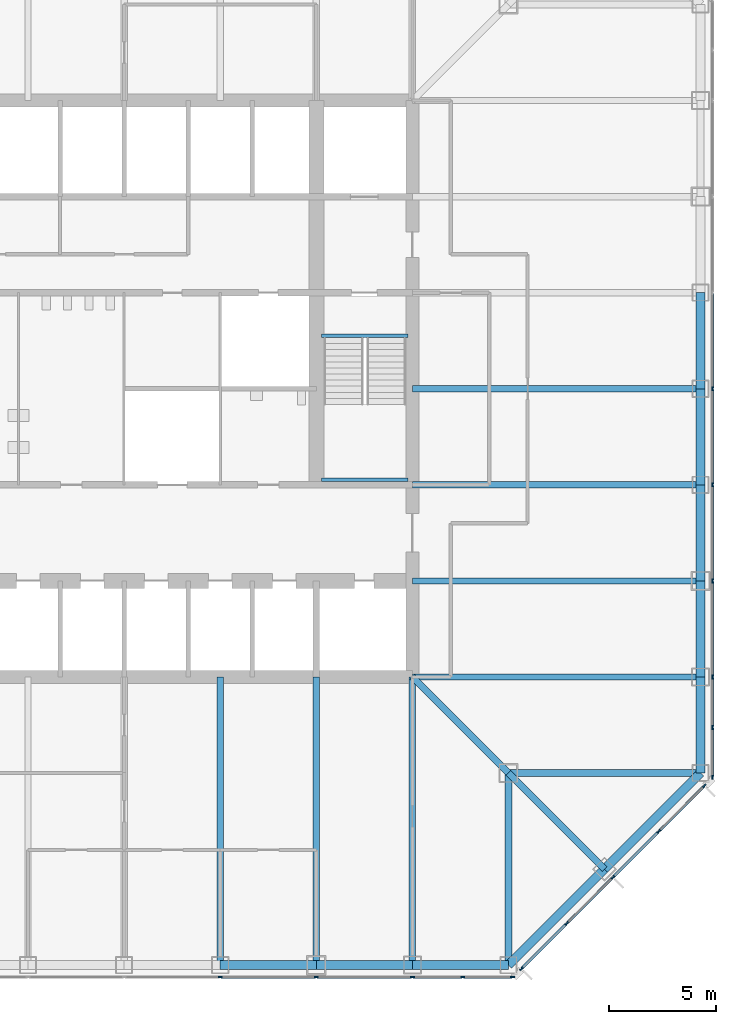
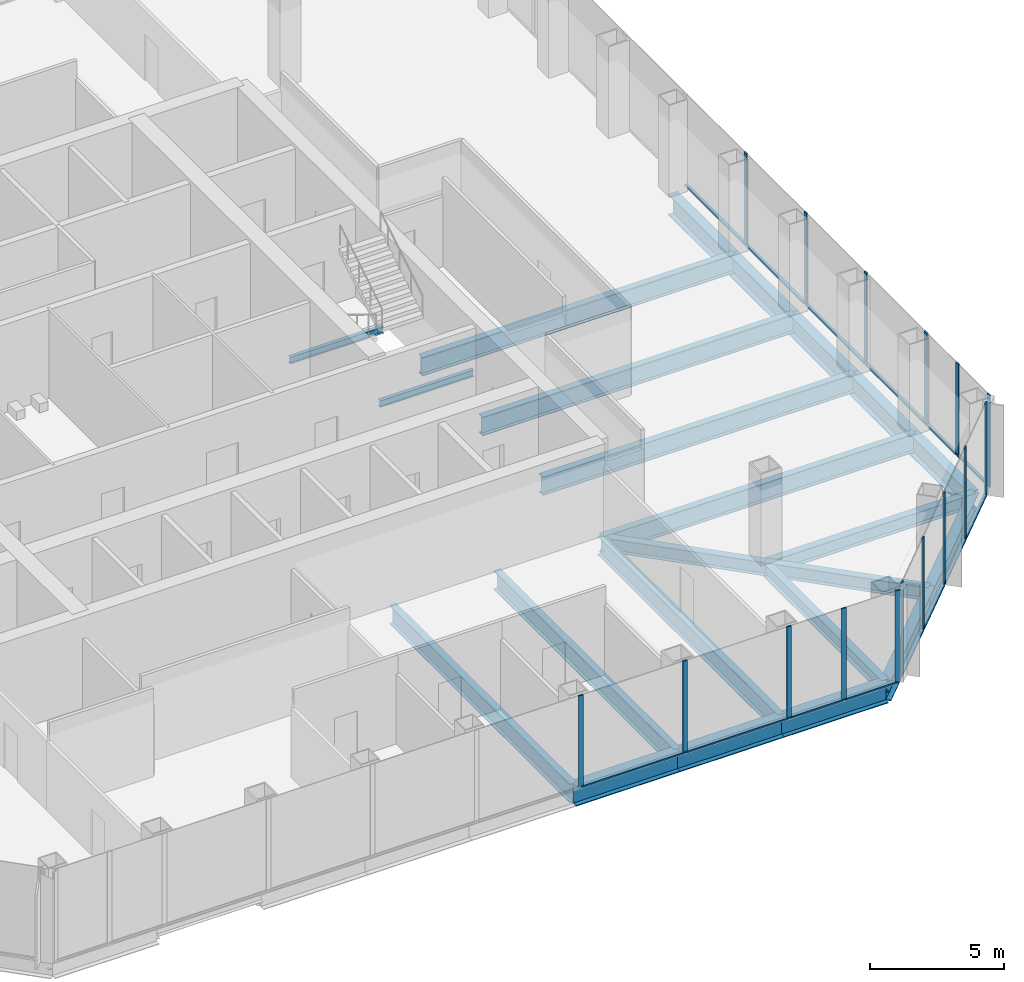
# One storey, part 4 of 13: 30 members, 23 beams, 3 elements without a shape of their own.
"""IFC4 building model written with IfcOpenShell, lengths in metres."""

from ifc_helpers import new_model, si_unit, direction, frame, origin, origin_2d, place, context, subcontext, project, spatial, rectangle, i_section, extrude, material, material_profile, profile_set, type_object, element, aggregate, save


model = new_model("IFC4")

# Units and contexts
model_context = context("Model", 3, precision=1e-05, world=origin(), true_north=direction((0.0, 1.0)))
body_context = subcontext(model_context, "Body", "Model", "MODEL_VIEW")
ifc_project = project(units=[si_unit("LENGTHUNIT", "METRE"), si_unit("AREAUNIT", "SQUARE_METRE"), si_unit("VOLUMEUNIT", "CUBIC_METRE"), si_unit("PLANEANGLEUNIT", "RADIAN"), si_unit("MASSUNIT", "GRAM", prefix="KILO")], contexts=[model_context])

# Site, building, storey
site_placement = place(None, origin())
site = spatial("IfcSite", under=ifc_project, at=site_placement, CompositionType="ELEMENT")
building_placement = place(site_placement, origin())
building = spatial("IfcBuilding", under=site, at=building_placement, Name="Corais Broadcast Tower", CompositionType="ELEMENT")
storey_placement = place(building_placement, frame((0.0, 0.0, 87.800048828125)))
storey = spatial("IfcBuildingStorey", under=building, at=storey_placement, Name="L19", CompositionType="ELEMENT", Elevation=87.800048828125)

# Beams
ifc_material_1 = material(Name="Steel ASTM A572 Grade 50", Category="steel")
ifc_material_profile_1 = material_profile(ifc_material_1, i_section(OverallWidth=0.323974609375, OverallDepth=0.611083984375, WebThickness=0.0126953125, FlangeThickness=0.01904296875, at=origin_2d()), Name="W610x155")
ifc_profile_set_1 = profile_set([ifc_material_profile_1], Name="Steel ASTM A572 Grade 50")
beam_type_1 = type_object("IfcBeamType", Name="Chamfer tie W610x155", PredefinedType="BEAM", material=ifc_profile_set_1)
beam_1_placement = place(storey_placement, frame((49.5, 4.5, -0.465576171875), z_axis=(-0.707106781187, 0.707106781187, 0.0), x_axis=(-0.707106781187, -0.707106781187, 0.0)))
element("IfcBeam", 1, at=beam_1_placement, inside=storey, type_object=beam_type_1, Name="B5 B/14 to C/13", PredefinedType="BEAM", context=body_context, shape_type="SweptSolid", body=[
    extrude(i_section(OverallWidth=0.323974609375, OverallDepth=0.611083984375, WebThickness=0.0126953125, FlangeThickness=0.01904296875, at=origin_2d()), origin(), (0.0, 0.0, 1.0), 6.364013671875),
])
ifc_material_2 = material(Name="Steel ASTM A572 Grade 50", Category="steel")
ifc_material_profile_2 = material_profile(ifc_material_2, i_section(OverallWidth=0.323974609375, OverallDepth=0.611083984375, WebThickness=0.0126953125, FlangeThickness=0.01904296875, at=origin_2d()), Name="W610x155")
ifc_profile_set_2 = profile_set([ifc_material_profile_2], Name="Steel ASTM A572 Grade 50")
beam_type_2 = type_object("IfcBeamType", Name="Corner diagonal W610x155", PredefinedType="BEAM", material=ifc_profile_set_2)
beam_2_placement = place(storey_placement, frame((45.0, 9.0, -0.465576171875), z_axis=(-0.707106781187, 0.707106781187, 0.0), x_axis=(-0.707106781187, -0.707106781187, 0.0)))
element("IfcBeam", 2, at=beam_2_placement, inside=storey, type_object=beam_type_2, Name="B6 C/13 to D/12", PredefinedType="BEAM", context=body_context, shape_type="SweptSolid", body=[
    extrude(i_section(OverallWidth=0.323974609375, OverallDepth=0.611083984375, WebThickness=0.0126953125, FlangeThickness=0.01904296875, at=origin_2d()), origin(), (0.0, 0.0, 1.0), 6.364013671875),
])
ifc_material_3 = material(Name="Steel ASTM A572 Grade 50", Category="steel")
ifc_material_profile_3 = material_profile(ifc_material_3, i_section(OverallWidth=0.323974609375, OverallDepth=0.611083984375, WebThickness=0.0126953125, FlangeThickness=0.01904296875, at=origin_2d()), Name="W610x155")
ifc_profile_set_3 = profile_set([ifc_material_profile_3], Name="Steel ASTM A572 Grade 50")
beam_type_3 = type_object("IfcBeamType", Name="Corner girder W610x155", PredefinedType="BEAM", material=ifc_profile_set_3)
for number, where, z_axis, x_axis, name in (
    (3, (45.0, 0.0, -0.465576171875), (0.0, 1.0, 0.0), (-1.0, 0.0, 0.0), "B4 A/13 to C/13"),
    (4, (54.0, 9.0, -0.465576171875), (-1.0, 0.0, 0.0), (0.0, -1.0, 0.0), "B4 C/15 to C/13"),
):
    element("IfcBeam", number, at=place(storey_placement, frame(where, z_axis=z_axis, x_axis=x_axis)), inside=storey, type_object=beam_type_3, Name=name, PredefinedType="BEAM", context=body_context, shape_type="SweptSolid", body=[
        extrude(i_section(OverallWidth=0.323974609375, OverallDepth=0.611083984375, WebThickness=0.0126953125, FlangeThickness=0.01904296875, at=origin_2d()), origin(), (0.0, 0.0, 1.0), 9.0),
    ])
ifc_material_4 = material(Name="Steel ASTM A572 Grade 50", Category="steel")
ifc_material_profile_4 = material_profile(ifc_material_4, i_section(OverallWidth=0.2939453125, OverallDepth=0.85107421875, WebThickness=0.01611328125, FlangeThickness=0.02685546875, at=origin_2d()), Name="W840x226")
ifc_profile_set_4 = profile_set([ifc_material_profile_4], Name="Steel ASTM A572 Grade 50")
beam_type_4 = type_object("IfcBeamType", Name="Floor beam W840x226", PredefinedType="BEAM", material=ifc_profile_set_4)
for number, where, z_axis, x_axis, name in (
    (5, (31.5, 0.0, -0.58544921875), (0.0, 1.0, 0.0), (-1.0, 0.0, 0.0), "B1 A/10 to D/10"),
    (6, (36.0, 0.0, -0.58544921875), (0.0, 1.0, 0.0), (-1.0, 0.0, 0.0), "B1 A/11 to D/11"),
    (7, (40.5, 0.0, -0.58544921875), (0.0, 1.0, 0.0), (-1.0, 0.0, 0.0), "B1 A/12 to D/12"),
    (8, (54.0, 13.5, -0.58544921875), (-1.0, 0.0, 0.0), (0.0, -1.0, 0.0), "B1 D/15 to D/12"),
    (9, (54.0, 18.0, -0.58544921875), (-1.0, 0.0, 0.0), (0.0, -1.0, 0.0), "B1 E/15 to E/12"),
    (10, (54.0, 22.5, -0.58544921875), (-1.0, 0.0, 0.0), (0.0, -1.0, 0.0), "B1 F/15 to F/12"),
    (11, (54.0, 27.0, -0.58544921875), (-1.0, 0.0, 0.0), (0.0, -1.0, 0.0), "B1 G/15 to G/12"),
):
    element("IfcBeam", number, at=place(storey_placement, frame(where, z_axis=z_axis, x_axis=x_axis)), inside=storey, type_object=beam_type_4, Name=name, PredefinedType="BEAM", context=body_context, shape_type="SweptSolid", body=[
        extrude(i_section(OverallWidth=0.2939453125, OverallDepth=0.85107421875, WebThickness=0.01611328125, FlangeThickness=0.02685546875, at=origin_2d()), origin(), (0.0, 0.0, 1.0), 13.5),
    ])
ifc_material_5 = material(Name="Steel ASTM A572 Grade 50", Category="steel")
ifc_material_profile_5 = material_profile(ifc_material_5, i_section(OverallWidth=0.1650390625, OverallDepth=0.31005859375, WebThickness=0.005859375, FlangeThickness=0.009765625, at=origin_2d()), Name="W310x38.7")
ifc_profile_set_5 = profile_set([ifc_material_profile_5], Name="Steel ASTM A572 Grade 50")
beam_type_5 = type_object("IfcBeamType", Name="Landing trimmer W310x38.7", PredefinedType="BEAM", material=ifc_profile_set_5)
for number, where, z_axis, x_axis, name in (
    (12, (36.25, 29.47509765625, -0.35498046875), (1.0, 0.0, 0.0), (0.0, 1.0, 0.0), "LT1 stair B landing trimmer L19"),
    (13, (36.25, 22.739990234375, 1.744873046875), (1.0, 0.0, 0.0), (0.0, 1.0, 0.0), "LT1 stair B half landing trimmer L19"),
):
    element("IfcBeam", number, at=place(storey_placement, frame(where, z_axis=z_axis, x_axis=x_axis)), inside=storey, type_object=beam_type_5, Name=name, PredefinedType="BEAM", context=body_context, shape_type="SweptSolid", body=[
        extrude(i_section(OverallWidth=0.1650390625, OverallDepth=0.31005859375, WebThickness=0.005859375, FlangeThickness=0.009765625, at=origin_2d()), origin(), (0.0, 0.0, 1.0), 4.050048828125),
    ])

# Curtain wall, members
ifc_material_6 = material(Name="Aluminium and glass", Category="aluminium")
curtain_wall_type = type_object("IfcCurtainWallType", Name="Unitised fritted curtain wall CW1", PredefinedType="NOTDEFINED", material=ifc_material_6)
curtain_wall_1_placement = place(storey_placement, origin())
curtain_wall_1 = element("IfcCurtainWall", 14, at=curtain_wall_1_placement, inside=storey, type_object=curtain_wall_type, Name="CW1 curtain wall L19 6", PredefinedType="NOTDEFINED")
ifc_material_7 = material(Name="Aluminium 6063-T6", Category="aluminium")
ifc_material_profile_6 = material_profile(ifc_material_7, rectangle(XDim=0.06494140625, YDim=0.199951171875, at=origin_2d()), Name="Mullion CW1 65x200")
ifc_profile_set_6 = profile_set([ifc_material_profile_6], Name="Aluminium 6063-T6")
member_type_1 = type_object("IfcMemberType", Name="Mullion CW1 65x200", PredefinedType="MULLION", material=ifc_profile_set_6)
member_1_placement = place(storey_placement, frame((54.550048828125, 27.0, 0.0), z_axis=(0.0, 0.0, 1.0), x_axis=(1.0, 0.0, 0.0)))
member_1 = element("IfcMember", 15, at=member_1_placement, type_object=member_type_1, Name="CW1 mullion 6", PredefinedType="MULLION", context=body_context, shape_type="SweptSolid", body=[
    extrude(rectangle(XDim=0.06494140625, YDim=0.199951171875, at=origin_2d()), origin(), (0.0, 0.0, 1.0), 4.199951171875),
])
member_2_placement = place(storey_placement, frame((54.550048828125, 22.5, 0.0), z_axis=(0.0, 0.0, 1.0), x_axis=(1.0, 0.0, 0.0)))
member_2 = element("IfcMember", 16, at=member_2_placement, type_object=member_type_1, Name="CW1 mullion 7", PredefinedType="MULLION", context=body_context, shape_type="SweptSolid", body=[
    extrude(rectangle(XDim=0.06494140625, YDim=0.199951171875, at=origin_2d()), origin(), (0.0, 0.0, 1.0), 4.199951171875),
])
member_3_placement = place(storey_placement, frame((54.550048828125, 18.0, 0.0), z_axis=(0.0, 0.0, 1.0), x_axis=(1.0, 0.0, 0.0)))
member_3 = element("IfcMember", 17, at=member_3_placement, type_object=member_type_1, Name="CW1 mullion 8", PredefinedType="MULLION", context=body_context, shape_type="SweptSolid", body=[
    extrude(rectangle(XDim=0.06494140625, YDim=0.199951171875, at=origin_2d()), origin(), (0.0, 0.0, 1.0), 4.199951171875),
])
member_4_placement = place(storey_placement, frame((54.550048828125, 13.5, 0.0), z_axis=(0.0, 0.0, 1.0), x_axis=(1.0, 0.0, 0.0)))
member_4 = element("IfcMember", 18, at=member_4_placement, type_object=member_type_1, Name="CW1 mullion 9", PredefinedType="MULLION", context=body_context, shape_type="SweptSolid", body=[
    extrude(rectangle(XDim=0.06494140625, YDim=0.199951171875, at=origin_2d()), origin(), (0.0, 0.0, 1.0), 4.199951171875),
])
member_5_placement = place(storey_placement, frame((54.550048828125, 11.135986328125, 0.0), z_axis=(0.0, 0.0, 1.0), x_axis=(1.0, 0.0, 0.0)))
member_5 = element("IfcMember", 19, at=member_5_placement, type_object=member_type_1, Name="CW1 mullion 10", PredefinedType="MULLION", context=body_context, shape_type="SweptSolid", body=[
    extrude(rectangle(XDim=0.06494140625, YDim=0.199951171875, at=origin_2d()), origin(), (0.0, 0.0, 1.0), 4.199951171875),
])
member_6_placement = place(storey_placement, frame((54.550048828125, 8.8046875, 0.0), z_axis=(0.0, 0.0, 1.0), x_axis=(1.0, 0.0, 0.0)))
member_6 = element("IfcMember", 20, at=member_6_placement, type_object=member_type_1, Name="CW1 mullion 11", PredefinedType="MULLION", context=body_context, shape_type="SweptSolid", body=[
    extrude(rectangle(XDim=0.06494140625, YDim=0.199951171875, at=origin_2d()), origin(), (0.0, 0.0, 1.0), 4.199951171875),
])

curtain_wall_2_placement = place(storey_placement, origin())
curtain_wall_2 = element("IfcCurtainWall", 21, at=curtain_wall_2_placement, inside=storey, type_object=curtain_wall_type, Name="CW1 curtain wall L19 7", PredefinedType="NOTDEFINED")
member_7_placement = place(storey_placement, frame((54.17333984375, 8.3955078125, 0.0), z_axis=(0.0, 0.0, 1.0), x_axis=(0.707106781187, -0.707106781187, 0.0)))
member_7 = element("IfcMember", 22, at=member_7_placement, type_object=member_type_1, Name="CW1 mullion 1", PredefinedType="MULLION", context=body_context, shape_type="SweptSolid", body=[
    extrude(rectangle(XDim=0.06494140625, YDim=0.199951171875, at=origin_2d()), origin(), (0.0, 0.0, 1.0), 4.199951171875),
])
member_8_placement = place(storey_placement, frame((52.042724609375, 6.264892578125, 0.0), z_axis=(0.0, 0.0, 1.0), x_axis=(0.707106781187, -0.707106781187, 0.0)))
member_8 = element("IfcMember", 23, at=member_8_placement, type_object=member_type_1, Name="CW1 mullion 2", PredefinedType="MULLION", context=body_context, shape_type="SweptSolid", body=[
    extrude(rectangle(XDim=0.06494140625, YDim=0.199951171875, at=origin_2d()), origin(), (0.0, 0.0, 1.0), 4.199951171875),
])
member_9_placement = place(storey_placement, frame((49.888916015625, 4.111083984375, 0.0), z_axis=(0.0, 0.0, 1.0), x_axis=(0.707106781187, -0.707106781187, 0.0)))
member_9 = element("IfcMember", 24, at=member_9_placement, type_object=member_type_1, Name="CW1 mullion 3", PredefinedType="MULLION", context=body_context, shape_type="SweptSolid", body=[
    extrude(rectangle(XDim=0.06494140625, YDim=0.199951171875, at=origin_2d()), origin(), (0.0, 0.0, 1.0), 4.199951171875),
])
member_10_placement = place(storey_placement, frame((47.735107421875, 1.957275390625, 0.0), z_axis=(0.0, 0.0, 1.0), x_axis=(0.707106781187, -0.707106781187, 0.0)))
member_10 = element("IfcMember", 25, at=member_10_placement, type_object=member_type_1, Name="CW1 mullion 4", PredefinedType="MULLION", context=body_context, shape_type="SweptSolid", body=[
    extrude(rectangle(XDim=0.06494140625, YDim=0.199951171875, at=origin_2d()), origin(), (0.0, 0.0, 1.0), 4.199951171875),
])
member_11_placement = place(storey_placement, frame((45.6044921875, -0.17333984375, 0.0), z_axis=(0.0, 0.0, 1.0), x_axis=(0.707106781187, -0.707106781187, 0.0)))
member_11 = element("IfcMember", 26, at=member_11_placement, type_object=member_type_1, Name="CW1 mullion 5", PredefinedType="MULLION", context=body_context, shape_type="SweptSolid", body=[
    extrude(rectangle(XDim=0.06494140625, YDim=0.199951171875, at=origin_2d()), origin(), (0.0, 0.0, 1.0), 4.199951171875),
])

curtain_wall_3_placement = place(storey_placement, origin())
curtain_wall_3 = element("IfcCurtainWall", 27, at=curtain_wall_3_placement, inside=storey, type_object=curtain_wall_type, Name="CW1 curtain wall L19 8", PredefinedType="NOTDEFINED")
member_12_placement = place(storey_placement, frame((45.1953125, -0.550048828125, 0.0), z_axis=(0.0, 0.0, 1.0), x_axis=(0.0, -1.0, 0.0)))
member_12 = element("IfcMember", 28, at=member_12_placement, type_object=member_type_1, Name="CW1 mullion 1", PredefinedType="MULLION", context=body_context, shape_type="SweptSolid", body=[
    extrude(rectangle(XDim=0.06494140625, YDim=0.199951171875, at=origin_2d()), origin(), (0.0, 0.0, 1.0), 4.199951171875),
])
member_13_placement = place(storey_placement, frame((42.864013671875, -0.550048828125, 0.0), z_axis=(0.0, 0.0, 1.0), x_axis=(0.0, -1.0, 0.0)))
member_13 = element("IfcMember", 29, at=member_13_placement, type_object=member_type_1, Name="CW1 mullion 2", PredefinedType="MULLION", context=body_context, shape_type="SweptSolid", body=[
    extrude(rectangle(XDim=0.06494140625, YDim=0.199951171875, at=origin_2d()), origin(), (0.0, 0.0, 1.0), 4.199951171875),
])
member_14_placement = place(storey_placement, frame((40.5, -0.550048828125, 0.0), z_axis=(0.0, 0.0, 1.0), x_axis=(0.0, -1.0, 0.0)))
member_14 = element("IfcMember", 30, at=member_14_placement, type_object=member_type_1, Name="CW1 mullion 3", PredefinedType="MULLION", context=body_context, shape_type="SweptSolid", body=[
    extrude(rectangle(XDim=0.06494140625, YDim=0.199951171875, at=origin_2d()), origin(), (0.0, 0.0, 1.0), 4.199951171875),
])
member_15_placement = place(storey_placement, frame((36.0, -0.550048828125, 0.0), z_axis=(0.0, 0.0, 1.0), x_axis=(0.0, -1.0, 0.0)))
member_15 = element("IfcMember", 31, at=member_15_placement, type_object=member_type_1, Name="CW1 mullion 4", PredefinedType="MULLION", context=body_context, shape_type="SweptSolid", body=[
    extrude(rectangle(XDim=0.06494140625, YDim=0.199951171875, at=origin_2d()), origin(), (0.0, 0.0, 1.0), 4.199951171875),
])
member_16_placement = place(storey_placement, frame((31.5, -0.550048828125, 0.0), z_axis=(0.0, 0.0, 1.0), x_axis=(0.0, -1.0, 0.0)))
member_16 = element("IfcMember", 32, at=member_16_placement, type_object=member_type_1, Name="CW1 mullion 5", PredefinedType="MULLION", context=body_context, shape_type="SweptSolid", body=[
    extrude(rectangle(XDim=0.06494140625, YDim=0.199951171875, at=origin_2d()), origin(), (0.0, 0.0, 1.0), 4.199951171875),
])

# Beams
ifc_material_8 = material(Name="Steel ASTM A572 Grade 50", Category="steel")
ifc_material_profile_7 = material_profile(ifc_material_8, i_section(OverallWidth=0.4189453125, OverallDepth=0.94189453125, WebThickness=0.022216796875, FlangeThickness=0.03662109375, at=origin_2d()), Name="W920x345")
ifc_profile_set_7 = profile_set([ifc_material_profile_7], Name="Steel ASTM A572 Grade 50")
beam_type_6 = type_object("IfcBeamType", Name="Transfer spandrel W920x345", PredefinedType="BEAM", material=ifc_profile_set_7)
for number, where, z_axis, x_axis, name in (
    (33, (31.5, 0.0, -0.631103515625), (1.0, 0.0, 0.0), (0.0, 1.0, 0.0), "SB4 A/10 to A/11"),
    (34, (36.0, 0.0, -0.631103515625), (1.0, 0.0, 0.0), (0.0, 1.0, 0.0), "SB4 A/11 to A/12"),
    (35, (40.5, 0.0, -0.631103515625), (1.0, 0.0, 0.0), (0.0, 1.0, 0.0), "SB4 A/12 to A/13"),
):
    element("IfcBeam", number, at=place(storey_placement, frame(where, z_axis=z_axis, x_axis=x_axis)), inside=storey, type_object=beam_type_6, Name=name, PredefinedType="BEAM", context=body_context, shape_type="SweptSolid", body=[
        extrude(i_section(OverallWidth=0.4189453125, OverallDepth=0.94189453125, WebThickness=0.022216796875, FlangeThickness=0.03662109375, at=origin_2d()), origin(), (0.0, 0.0, 1.0), 4.5),
    ])
for number, where, z_axis, x_axis, name in (
    (36, (45.0, 0.0, -0.631103515625), (0.707106781187, 0.707106781187, 0.0), (-0.707106781187, 0.707106781187, 0.0), "SB4 A/13 to B/14"),
    (37, (49.5, 4.5, -0.631103515625), (0.707106781187, 0.707106781187, 0.0), (-0.707106781187, 0.707106781187, 0.0), "SB4 B/14 to C/15"),
):
    element("IfcBeam", number, at=place(storey_placement, frame(where, z_axis=z_axis, x_axis=x_axis)), inside=storey, type_object=beam_type_6, Name=name, PredefinedType="BEAM", context=body_context, shape_type="SweptSolid", body=[
        extrude(i_section(OverallWidth=0.4189453125, OverallDepth=0.94189453125, WebThickness=0.022216796875, FlangeThickness=0.03662109375, at=origin_2d()), origin(), (0.0, 0.0, 1.0), 6.364013671875),
    ])
for number, where, z_axis, x_axis, name in (
    (38, (54.0, 13.5, -0.631103515625), (0.0, 1.0, 0.0), (-1.0, 0.0, 0.0), "SB4 D/15 to E/15"),
    (39, (54.0, 18.0, -0.631103515625), (0.0, 1.0, 0.0), (-1.0, 0.0, 0.0), "SB4 E/15 to F/15"),
    (40, (54.0, 22.5, -0.631103515625), (0.0, 1.0, 0.0), (-1.0, 0.0, 0.0), "SB4 F/15 to G/15"),
    (41, (54.0, 27.0, -0.631103515625), (0.0, 1.0, 0.0), (-1.0, 0.0, 0.0), "SB4 G/15 to H/15"),
    (42, (54.0, 9.0, -0.631103515625), (0.0, 1.0, 0.0), (-1.0, 0.0, 0.0), "SB4 C/15 to D/15"),
):
    element("IfcBeam", number, at=place(storey_placement, frame(where, z_axis=z_axis, x_axis=x_axis)), inside=storey, type_object=beam_type_6, Name=name, PredefinedType="BEAM", context=body_context, shape_type="SweptSolid", body=[
        extrude(i_section(OverallWidth=0.4189453125, OverallDepth=0.94189453125, WebThickness=0.022216796875, FlangeThickness=0.03662109375, at=origin_2d()), origin(), (0.0, 0.0, 1.0), 4.5),
    ])

# Member
ifc_material_9 = material(Name="Aluminium 6063-T6", Category="aluminium")
ifc_material_profile_8 = material_profile(ifc_material_9, rectangle(XDim=0.139892578125, YDim=0.06494140625, at=origin_2d()), Name="Transom CW1 65x140")
ifc_profile_set_8 = profile_set([ifc_material_profile_8], Name="Aluminium 6063-T6")
member_type_2 = type_object("IfcMemberType", Name="Transom CW1 65x140", PredefinedType="USERDEFINED", material=ifc_profile_set_8)
member_17_placement = place(storey_placement, frame((54.550048828125, 31.467529296875, 0.032470703125), z_axis=(0.0, -1.0, 0.0), x_axis=(1.0, 0.0, 0.0)))
member_17 = element("IfcMember", 43, at=member_17_placement, type_object=member_type_2, Name="CW1 transom 5.1", ObjectType="TRANSOM", PredefinedType="USERDEFINED", context=body_context, shape_type="SweptSolid", body=[
    extrude(rectangle(XDim=0.139892578125, YDim=0.06494140625, at=origin_2d()), origin(), (0.0, 0.0, 1.0), 4.43505859375),
])

member_18_placement = place(storey_placement, frame((54.550048828125, 26.967529296875, 0.032470703125), z_axis=(0.0, -1.0, 0.0), x_axis=(1.0, 0.0, 0.0)))
member_18 = element("IfcMember", 44, at=member_18_placement, type_object=member_type_2, Name="CW1 transom 6.1", ObjectType="TRANSOM", PredefinedType="USERDEFINED", context=body_context, shape_type="SweptSolid", body=[
    extrude(rectangle(XDim=0.139892578125, YDim=0.06494140625, at=origin_2d()), origin(), (0.0, 0.0, 1.0), 4.43505859375),
])

member_19_placement = place(storey_placement, frame((54.550048828125, 22.467529296875, 0.032470703125), z_axis=(0.0, -1.0, 0.0), x_axis=(1.0, 0.0, 0.0)))
member_19 = element("IfcMember", 45, at=member_19_placement, type_object=member_type_2, Name="CW1 transom 7.1", ObjectType="TRANSOM", PredefinedType="USERDEFINED", context=body_context, shape_type="SweptSolid", body=[
    extrude(rectangle(XDim=0.139892578125, YDim=0.06494140625, at=origin_2d()), origin(), (0.0, 0.0, 1.0), 4.43505859375),
])

member_20_placement = place(storey_placement, frame((54.550048828125, 17.967529296875, 0.032470703125), z_axis=(0.0, -1.0, 0.0), x_axis=(1.0, 0.0, 0.0)))
member_20 = element("IfcMember", 46, at=member_20_placement, type_object=member_type_2, Name="CW1 transom 8.1", ObjectType="TRANSOM", PredefinedType="USERDEFINED", context=body_context, shape_type="SweptSolid", body=[
    extrude(rectangle(XDim=0.139892578125, YDim=0.06494140625, at=origin_2d()), origin(), (0.0, 0.0, 1.0), 4.43505859375),
])

member_21_placement = place(storey_placement, frame((54.550048828125, 13.467529296875, 0.032470703125), z_axis=(0.0, -1.0, 0.0), x_axis=(1.0, 0.0, 0.0)))
member_21 = element("IfcMember", 47, at=member_21_placement, type_object=member_type_2, Name="CW1 transom 9.1", ObjectType="TRANSOM", PredefinedType="USERDEFINED", context=body_context, shape_type="SweptSolid", body=[
    extrude(rectangle(XDim=0.139892578125, YDim=0.06494140625, at=origin_2d()), origin(), (0.0, 0.0, 1.0), 2.298828125),
])

member_22_placement = place(storey_placement, frame((54.550048828125, 11.103515625, 0.032470703125), z_axis=(0.0, -1.0, 0.0), x_axis=(1.0, 0.0, 0.0)))
member_22 = element("IfcMember", 48, at=member_22_placement, type_object=member_type_2, Name="CW1 transom 10.1", ObjectType="TRANSOM", PredefinedType="USERDEFINED", context=body_context, shape_type="SweptSolid", body=[
    extrude(rectangle(XDim=0.139892578125, YDim=0.06494140625, at=origin_2d()), origin(), (0.0, 0.0, 1.0), 2.266357421875),
])

aggregate(curtain_wall_1, [member_1, member_2, member_3, member_4, member_5, member_6, member_17, member_18, member_19, member_20, member_21, member_22])

member_23_placement = place(storey_placement, frame((54.150390625, 8.37255859375, 0.032470703125), z_axis=(-0.707106781187, -0.707106781187, 0.0), x_axis=(0.707106781187, -0.707106781187, 0.0)))
member_23 = element("IfcMember", 49, at=member_23_placement, type_object=member_type_2, Name="CW1 transom 1.1", ObjectType="TRANSOM", PredefinedType="USERDEFINED", context=body_context, shape_type="SweptSolid", body=[
    extrude(rectangle(XDim=0.139892578125, YDim=0.06494140625, at=origin_2d()), origin(), (0.0, 0.0, 1.0), 2.9482421875),
])

member_24_placement = place(storey_placement, frame((52.019775390625, 6.241943359375, 0.032470703125), z_axis=(-0.707106781187, -0.707106781187, 0.0), x_axis=(0.707106781187, -0.707106781187, 0.0)))
member_24 = element("IfcMember", 50, at=member_24_placement, type_object=member_type_2, Name="CW1 transom 2.1", ObjectType="TRANSOM", PredefinedType="USERDEFINED", context=body_context, shape_type="SweptSolid", body=[
    extrude(rectangle(XDim=0.139892578125, YDim=0.06494140625, at=origin_2d()), origin(), (0.0, 0.0, 1.0), 2.98095703125),
])

member_25_placement = place(storey_placement, frame((49.865966796875, 4.088134765625, 0.032470703125), z_axis=(-0.707106781187, -0.707106781187, 0.0), x_axis=(0.707106781187, -0.707106781187, 0.0)))
member_25 = element("IfcMember", 51, at=member_25_placement, type_object=member_type_2, Name="CW1 transom 3.1", ObjectType="TRANSOM", PredefinedType="USERDEFINED", context=body_context, shape_type="SweptSolid", body=[
    extrude(rectangle(XDim=0.139892578125, YDim=0.06494140625, at=origin_2d()), origin(), (0.0, 0.0, 1.0), 2.98095703125),
])

member_26_placement = place(storey_placement, frame((47.712158203125, 1.934326171875, 0.032470703125), z_axis=(-0.707106781187, -0.707106781187, 0.0), x_axis=(0.707106781187, -0.707106781187, 0.0)))
member_26 = element("IfcMember", 52, at=member_26_placement, type_object=member_type_2, Name="CW1 transom 4.1", ObjectType="TRANSOM", PredefinedType="USERDEFINED", context=body_context, shape_type="SweptSolid", body=[
    extrude(rectangle(XDim=0.139892578125, YDim=0.06494140625, at=origin_2d()), origin(), (0.0, 0.0, 1.0), 2.9482421875),
])

aggregate(curtain_wall_2, [member_7, member_8, member_9, member_10, member_11, member_23, member_24, member_25, member_26])

member_27_placement = place(storey_placement, frame((45.162841796875, -0.550048828125, 0.032470703125), z_axis=(-1.0, 0.0, 0.0), x_axis=(0.0, -1.0, 0.0)))
member_27 = element("IfcMember", 53, at=member_27_placement, type_object=member_type_2, Name="CW1 transom 1.1", ObjectType="TRANSOM", PredefinedType="USERDEFINED", context=body_context, shape_type="SweptSolid", body=[
    extrude(rectangle(XDim=0.139892578125, YDim=0.06494140625, at=origin_2d()), origin(), (0.0, 0.0, 1.0), 2.266357421875),
])

member_28_placement = place(storey_placement, frame((42.831298828125, -0.550048828125, 0.032470703125), z_axis=(-1.0, 0.0, 0.0), x_axis=(0.0, -1.0, 0.0)))
member_28 = element("IfcMember", 54, at=member_28_placement, type_object=member_type_2, Name="CW1 transom 2.1", ObjectType="TRANSOM", PredefinedType="USERDEFINED", context=body_context, shape_type="SweptSolid", body=[
    extrude(rectangle(XDim=0.139892578125, YDim=0.06494140625, at=origin_2d()), origin(), (0.0, 0.0, 1.0), 2.298828125),
])

member_29_placement = place(storey_placement, frame((40.467529296875, -0.550048828125, 0.032470703125), z_axis=(-1.0, 0.0, 0.0), x_axis=(0.0, -1.0, 0.0)))
member_29 = element("IfcMember", 55, at=member_29_placement, type_object=member_type_2, Name="CW1 transom 3.1", ObjectType="TRANSOM", PredefinedType="USERDEFINED", context=body_context, shape_type="SweptSolid", body=[
    extrude(rectangle(XDim=0.139892578125, YDim=0.06494140625, at=origin_2d()), origin(), (0.0, 0.0, 1.0), 4.43505859375),
])

member_30_placement = place(storey_placement, frame((35.967529296875, -0.550048828125, 0.032470703125), z_axis=(-1.0, 0.0, 0.0), x_axis=(0.0, -1.0, 0.0)))
member_30 = element("IfcMember", 56, at=member_30_placement, type_object=member_type_2, Name="CW1 transom 4.1", ObjectType="TRANSOM", PredefinedType="USERDEFINED", context=body_context, shape_type="SweptSolid", body=[
    extrude(rectangle(XDim=0.139892578125, YDim=0.06494140625, at=origin_2d()), origin(), (0.0, 0.0, 1.0), 4.43505859375),
])

aggregate(curtain_wall_3, [member_12, member_13, member_14, member_15, member_16, member_27, member_28, member_29, member_30])

save(model, "model.ifc")
